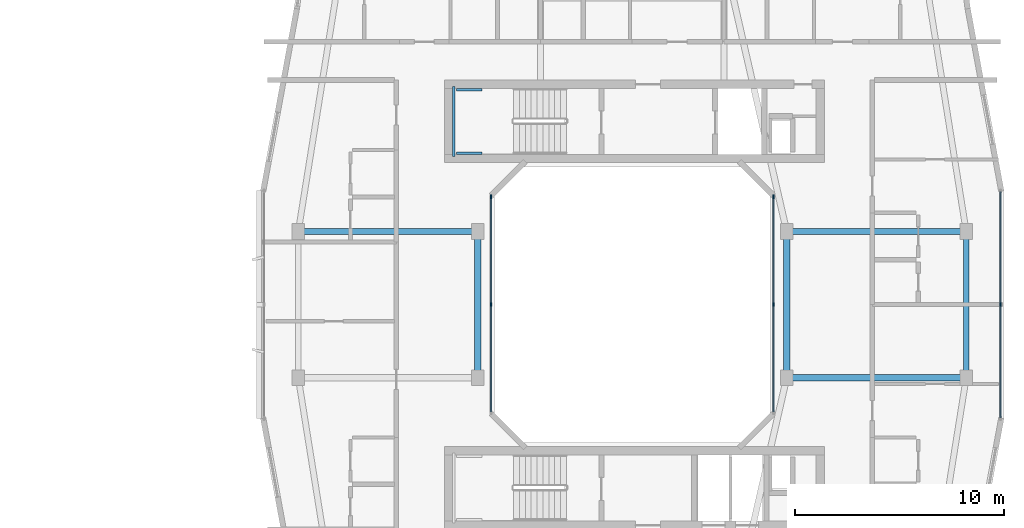
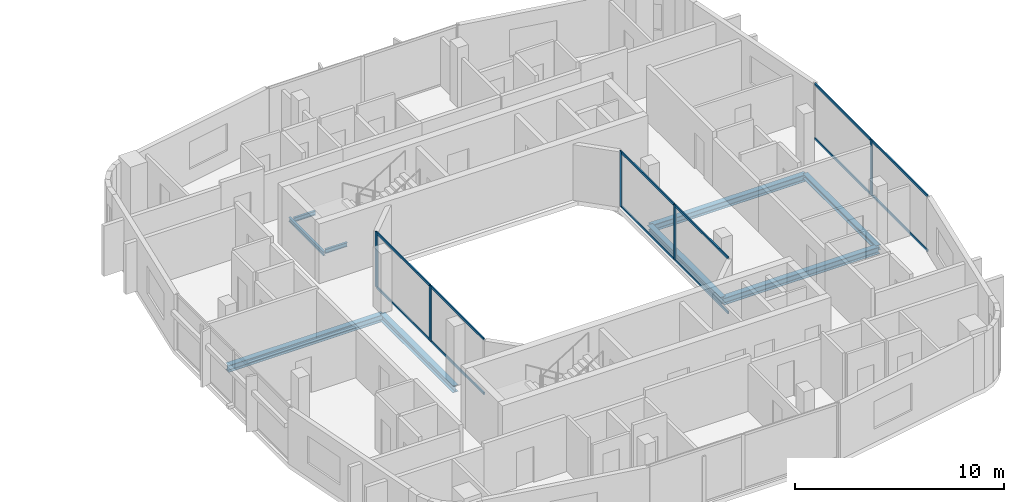
# One storey, part 9 of 26: 17 members, 9 beams, 3 elements without a shape of their own.
"""IFC4 building model written with IfcOpenShell, lengths in metres."""

from ifc_helpers import new_model, si_unit, derived_unit, direction, frame, origin, origin_2d, place, context, subcontext, project, spatial, rectangle, i_section, extrude, material, layer, layer_set, material_profile, profile_set, type_object, element, aggregate, save


model = new_model("IFC4")

# Units and contexts
model_context = context("Model", 3, precision=1e-05, world=origin(), true_north=direction((0.0, 1.0)))
body_context = subcontext(model_context, "Body", "Model", "MODEL_VIEW")
ifc_project = project(units=[si_unit("LENGTHUNIT", "METRE"), si_unit("AREAUNIT", "SQUARE_METRE"), si_unit("VOLUMEUNIT", "CUBIC_METRE"), si_unit("PLANEANGLEUNIT", "RADIAN"), si_unit("MASSUNIT", "GRAM", prefix="KILO"), derived_unit("THERMALTRANSMITTANCEUNIT", [(si_unit("POWERUNIT", "WATT"), 1), (si_unit("LENGTHUNIT", "METRE"), -2), (si_unit("THERMODYNAMICTEMPERATUREUNIT", "KELVIN"), -1)])], contexts=[model_context])

# Site, building, storey
site_placement = place(None, origin())
site = spatial("IfcSite", under=ifc_project, at=site_placement, CompositionType="ELEMENT")
building_placement = place(site_placement, origin())
building = spatial("IfcBuilding", under=site, at=building_placement, Name="Kivonza Crest Hotel", CompositionType="ELEMENT")
storey_placement = place(building_placement, frame((0.0, 0.0, 102.0)))
storey = spatial("IfcBuildingStorey", under=building, at=storey_placement, Name="L27", CompositionType="ELEMENT", Elevation=102.0)

# Beams
ifc_material_1 = material(Name="Steel S355", Category="steel")
ifc_material_profile_1 = material_profile(ifc_material_1, i_section(OverallWidth=0.280029296875, OverallDepth=0.280029296875, WebThickness=0.010498046875, FlangeThickness=0.01806640625, FilletRadius=0.02392578125, at=origin_2d()), Name="HEB 280")
ifc_profile_set_1 = profile_set([ifc_material_profile_1], Name="Steel S355")
beam_type_1 = type_object("IfcBeamType", Name="BM-HEB280", PredefinedType="SPANDREL", material=ifc_profile_set_1)
beam_1_placement = place(storey_placement, frame((93.0, 21.5, -0.389892578125), z_axis=(0.0, 1.0, 0.0), x_axis=(-1.0, 0.0, 0.0)))
element("IfcBeam", 1, at=beam_1_placement, inside=storey, type_object=beam_type_1, Name="Companion Tower T2 L27 perimeter spandrel E1-E2", PredefinedType="SPANDREL", context=body_context, shape_type="SweptSolid", body=[
    extrude(i_section(OverallWidth=0.280029296875, OverallDepth=0.280029296875, WebThickness=0.010498046875, FlangeThickness=0.01806640625, FilletRadius=0.02392578125, at=origin_2d()), origin(), (0.0, 0.0, 1.0), 7.0),
])
ifc_material_profile_2 = material_profile(ifc_material_1, i_section(OverallWidth=0.300048828125, OverallDepth=0.39990234375, WebThickness=0.013427734375, FlangeThickness=0.02392578125, FilletRadius=0.027099609375, at=origin_2d()), Name="HEB 400")
ifc_profile_set_2 = profile_set([ifc_material_profile_2], Name="Steel S355")
beam_type_2 = type_object("IfcBeamType", Name="BM-HEB400", PredefinedType="BEAM", material=ifc_profile_set_2)
beam_2_placement = place(storey_placement, frame((61.0, 28.5, -0.449951171875), z_axis=(1.0, 0.0, 0.0), x_axis=(0.0, 1.0, 0.0)))
element("IfcBeam", 2, at=beam_2_placement, inside=storey, type_object=beam_type_2, Name="Companion Tower T2 L27 girder W2-WL2", PredefinedType="BEAM", context=body_context, shape_type="SweptSolid", body=[
    extrude(i_section(OverallWidth=0.300048828125, OverallDepth=0.39990234375, WebThickness=0.013427734375, FlangeThickness=0.02392578125, FilletRadius=0.027099609375, at=origin_2d()), origin(), (0.0, 0.0, 1.0), 8.60009765625),
])
beam_3_placement = place(storey_placement, frame((69.60009765625, 21.5, -0.449951171875), z_axis=(0.0, 1.0, 0.0), x_axis=(-1.0, 0.0, 0.0)))
element("IfcBeam", 3, at=beam_3_placement, inside=storey, type_object=beam_type_2, Name="Companion Tower T2 L27 girder WL1-WL2", PredefinedType="BEAM", context=body_context, shape_type="SweptSolid", body=[
    extrude(i_section(OverallWidth=0.300048828125, OverallDepth=0.39990234375, WebThickness=0.013427734375, FlangeThickness=0.02392578125, FilletRadius=0.027099609375, at=origin_2d()), origin(), (0.0, 0.0, 1.0), 7.0),
])
for number, where, z_axis, x_axis, name in (
    (4, (84.39990234375, 21.5, -0.449951171875), (1.0, 0.0, 0.0), (0.0, 1.0, 0.0), "Companion Tower T2 L27 girder WR1-E1"),
    (5, (84.39990234375, 28.5, -0.449951171875), (1.0, 0.0, 0.0), (0.0, 1.0, 0.0), "Companion Tower T2 L27 girder WR2-E2"),
):
    element("IfcBeam", number, at=place(storey_placement, frame(where, z_axis=z_axis, x_axis=x_axis)), inside=storey, type_object=beam_type_2, Name=name, PredefinedType="BEAM", context=body_context, shape_type="SweptSolid", body=[
        extrude(i_section(OverallWidth=0.300048828125, OverallDepth=0.39990234375, WebThickness=0.013427734375, FlangeThickness=0.02392578125, FilletRadius=0.027099609375, at=origin_2d()), origin(), (0.0, 0.0, 1.0), 8.60009765625),
    ])
beam_4_placement = place(storey_placement, frame((84.39990234375, 21.5, -0.449951171875), z_axis=(0.0, 1.0, 0.0), x_axis=(-1.0, 0.0, 0.0)))
element("IfcBeam", 6, at=beam_4_placement, inside=storey, type_object=beam_type_2, Name="Companion Tower T2 L27 girder WR1-WR2", PredefinedType="BEAM", context=body_context, shape_type="SweptSolid", body=[
    extrude(i_section(OverallWidth=0.300048828125, OverallDepth=0.39990234375, WebThickness=0.013427734375, FlangeThickness=0.02392578125, FilletRadius=0.027099609375, at=origin_2d()), origin(), (0.0, 0.0, 1.0), 7.0),
])
ifc_material_profile_3 = material_profile(ifc_material_1, i_section(OverallWidth=0.1201171875, OverallDepth=0.239990234375, WebThickness=0.006103515625, FlangeThickness=0.009765625, FilletRadius=0.014892578125, at=origin_2d()), Name="IPE 240")
ifc_profile_set_3 = profile_set([ifc_material_profile_3], Name="Steel S355")
beam_type_3 = type_object("IfcBeamType", Name="BM-LLDG-240", PredefinedType="BEAM", material=ifc_profile_set_3)
beam_5_placement = place(storey_placement, frame((68.4599609375, 32.10009765625, 1.429931640625), z_axis=(0.0, 1.0, 0.0), x_axis=(-1.0, 0.0, 0.0)))
element("IfcBeam", 7, at=beam_5_placement, inside=storey, type_object=beam_type_3, Name="Stair ST-T2-N L27 West landing corbel", PredefinedType="BEAM", context=body_context, shape_type="SweptSolid", body=[
    extrude(i_section(OverallWidth=0.1201171875, OverallDepth=0.239990234375, WebThickness=0.006103515625, FlangeThickness=0.009765625, FilletRadius=0.014892578125, at=origin_2d()), origin(), (0.0, 0.0, 1.0), 3.35986328125),
])
for number, where, z_axis, x_axis, name in (
    (8, (68.590087890625, 32.260009765625, 1.429931640625), (1.0, 0.0, 0.0), (0.0, 1.0, 0.0), "Stair ST-T2-N L27 South landing corbel"),
    (9, (68.590087890625, 35.300048828125, 1.429931640625), (1.0, 0.0, 0.0), (0.0, 1.0, 0.0), "Stair ST-T2-N L27 North landing corbel"),
):
    element("IfcBeam", number, at=place(storey_placement, frame(where, z_axis=z_axis, x_axis=x_axis)), inside=storey, type_object=beam_type_3, Name=name, PredefinedType="BEAM", context=body_context, shape_type="SweptSolid", body=[
        extrude(i_section(OverallWidth=0.1201171875, OverallDepth=0.239990234375, WebThickness=0.006103515625, FlangeThickness=0.009765625, FilletRadius=0.014892578125, at=origin_2d()), origin(), (0.0, 0.0, 1.0), 1.2099609375),
    ])

# Curtain wall, member
ifc_material_2 = material(Name="Anodised bronze aluminium and low-E double glazing", Category="aluminium")
ifc_layer_1 = layer(ifc_material_2, 0.179931640625)
ifc_layer_set_1 = layer_set([ifc_layer_1], Name="Anodised bronze aluminium and low-E double glazing")
curtain_wall_type_1 = type_object("IfcCurtainWallType", Name="CW-SYS-4", PredefinedType="NOTDEFINED", material=ifc_layer_set_1)
curtain_wall_1_placement = place(storey_placement, origin())
curtain_wall_1 = element("IfcCurtainWall", 10, at=curtain_wall_1_placement, inside=storey, type_object=curtain_wall_type_1, Name="L27 unitised curtain wall CW-T2-L27-17", PredefinedType="NOTDEFINED")
ifc_material_3 = material(Name="Anodised bronze aluminium", Category="aluminium")
ifc_material_profile_4 = material_profile(ifc_material_3, rectangle(XDim=0.06494140625, YDim=0.179931640625, at=origin_2d()), Name="CW-M 65x180")
ifc_profile_set_4 = profile_set([ifc_material_profile_4], Name="Anodised bronze aluminium")
member_type_1 = type_object("IfcMemberType", Name="CW-MUL-65x180", PredefinedType="MULLION", material=ifc_profile_set_4)
member_1_placement = place(storey_placement, frame((94.639892578125, 25.0, 0.0), z_axis=(0.0, 0.0, 1.0), x_axis=(-1.0, 0.0, 0.0)))
member_1 = element("IfcMember", 11, at=member_1_placement, type_object=member_type_1, Name="CW-4 mullion 2", PredefinedType="MULLION", context=body_context, shape_type="SweptSolid", body=[
    extrude(rectangle(XDim=0.06494140625, YDim=0.179931640625, at=origin_2d()), origin(), (0.0, 0.0, 1.0), 3.25),
])

# Curtain wall, members
ifc_layer_2 = layer(ifc_material_2, 0.159912109375)
ifc_layer_set_2 = layer_set([ifc_layer_2], Name="Anodised bronze aluminium and low-E double glazing")
curtain_wall_type_2 = type_object("IfcCurtainWallType", Name="CW-SYS-5", PredefinedType="NOTDEFINED", material=ifc_layer_set_2)
curtain_wall_2_placement = place(storey_placement, origin())
curtain_wall_2 = element("IfcCurtainWall", 12, at=curtain_wall_2_placement, inside=storey, type_object=curtain_wall_type_2, Name="L27 unitised curtain wall CW-WELL-T2-L27-3", PredefinedType="NOTDEFINED")
member_2_placement = place(storey_placement, frame((83.760009765625, 25.0, 0.0), z_axis=(0.0, 0.0, 1.0), x_axis=(-1.0, 0.0, 0.0)))
member_2 = element("IfcMember", 13, at=member_2_placement, type_object=member_type_1, Name="CW-5 mullion 2", PredefinedType="MULLION", context=body_context, shape_type="SweptSolid", body=[
    extrude(rectangle(XDim=0.06494140625, YDim=0.179931640625, at=origin_2d()), origin(), (0.0, 0.0, 1.0), 3.25),
])
member_3_placement = place(storey_placement, frame((83.760009765625, 30.16748046875, 0.0), z_axis=(0.0, 0.0, 1.0), x_axis=(-1.0, 0.0, 0.0)))
member_3 = element("IfcMember", 14, at=member_3_placement, type_object=member_type_1, Name="CW-5 mullion 3", PredefinedType="MULLION", context=body_context, shape_type="SweptSolid", body=[
    extrude(rectangle(XDim=0.06494140625, YDim=0.179931640625, at=origin_2d()), origin(), (0.0, 0.0, 1.0), 3.25),
])

curtain_wall_3_placement = place(storey_placement, origin())
curtain_wall_3 = element("IfcCurtainWall", 15, at=curtain_wall_3_placement, inside=storey, type_object=curtain_wall_type_2, Name="L27 unitised curtain wall CW-WELL-T2-L27-7", PredefinedType="NOTDEFINED")
member_4_placement = place(storey_placement, frame((70.239990234375, 30.16748046875, 0.0), z_axis=(0.0, 0.0, 1.0), x_axis=(1.0, 0.0, 0.0)))
member_4 = element("IfcMember", 16, at=member_4_placement, type_object=member_type_1, Name="CW-5 mullion 1", PredefinedType="MULLION", context=body_context, shape_type="SweptSolid", body=[
    extrude(rectangle(XDim=0.06494140625, YDim=0.179931640625, at=origin_2d()), origin(), (0.0, 0.0, 1.0), 3.25),
])
member_5_placement = place(storey_placement, frame((70.239990234375, 25.0, 0.0), z_axis=(0.0, 0.0, 1.0), x_axis=(1.0, 0.0, 0.0)))
member_5 = element("IfcMember", 17, at=member_5_placement, type_object=member_type_1, Name="CW-5 mullion 2", PredefinedType="MULLION", context=body_context, shape_type="SweptSolid", body=[
    extrude(rectangle(XDim=0.06494140625, YDim=0.179931640625, at=origin_2d()), origin(), (0.0, 0.0, 1.0), 3.25),
])

# Member
ifc_material_profile_5 = material_profile(ifc_material_3, rectangle(XDim=0.06494140625, YDim=0.139892578125, at=origin_2d()), Name="CW-T 65x140")
ifc_profile_set_5 = profile_set([ifc_material_profile_5], Name="Anodised bronze aluminium")
member_type_2 = type_object("IfcMemberType", Name="CW-TRN-65x140", PredefinedType="USERDEFINED", material=ifc_profile_set_5)
member_6_placement = place(storey_placement, frame((94.639892578125, 19.5849609375, 0.032470703125), z_axis=(0.0, 1.0, 0.0), x_axis=(-1.0, 0.0, 0.0)))
member_6 = element("IfcMember", 18, at=member_6_placement, type_object=member_type_2, Name="CW-4 transom 1.1", ObjectType="TRANSOM", PredefinedType="USERDEFINED", context=body_context, shape_type="SweptSolid", body=[
    extrude(rectangle(XDim=0.06494140625, YDim=0.139892578125, at=origin_2d()), origin(), (0.0, 0.0, 1.0), 5.382568359375),
])

member_7_placement = place(storey_placement, frame((94.639892578125, 19.5849609375, 3.217529296875), z_axis=(0.0, 1.0, 0.0), x_axis=(-1.0, 0.0, 0.0)))
member_7 = element("IfcMember", 19, at=member_7_placement, type_object=member_type_2, Name="CW-4 transom 1.2", ObjectType="TRANSOM", PredefinedType="USERDEFINED", context=body_context, shape_type="SweptSolid", body=[
    extrude(rectangle(XDim=0.06494140625, YDim=0.139892578125, at=origin_2d()), origin(), (0.0, 0.0, 1.0), 5.382568359375),
])

member_8_placement = place(storey_placement, frame((94.639892578125, 25.032470703125, 0.032470703125), z_axis=(0.0, 1.0, 0.0), x_axis=(-1.0, 0.0, 0.0)))
member_8 = element("IfcMember", 20, at=member_8_placement, type_object=member_type_2, Name="CW-4 transom 2.1", ObjectType="TRANSOM", PredefinedType="USERDEFINED", context=body_context, shape_type="SweptSolid", body=[
    extrude(rectangle(XDim=0.06494140625, YDim=0.139892578125, at=origin_2d()), origin(), (0.0, 0.0, 1.0), 5.382568359375),
])

member_9_placement = place(storey_placement, frame((94.639892578125, 25.032470703125, 3.217529296875), z_axis=(0.0, 1.0, 0.0), x_axis=(-1.0, 0.0, 0.0)))
member_9 = element("IfcMember", 21, at=member_9_placement, type_object=member_type_2, Name="CW-4 transom 2.2", ObjectType="TRANSOM", PredefinedType="USERDEFINED", context=body_context, shape_type="SweptSolid", body=[
    extrude(rectangle(XDim=0.06494140625, YDim=0.139892578125, at=origin_2d()), origin(), (0.0, 0.0, 1.0), 5.382568359375),
])

aggregate(curtain_wall_1, [member_1, member_6, member_7, member_8, member_9])

member_10_placement = place(storey_placement, frame((83.760009765625, 19.864990234375, 0.032470703125), z_axis=(0.0, 1.0, 0.0), x_axis=(-1.0, 0.0, 0.0)))
member_10 = element("IfcMember", 22, at=member_10_placement, type_object=member_type_2, Name="CW-5 transom 1.1", ObjectType="TRANSOM", PredefinedType="USERDEFINED", context=body_context, shape_type="SweptSolid", body=[
    extrude(rectangle(XDim=0.06494140625, YDim=0.139892578125, at=origin_2d()), origin(), (0.0, 0.0, 1.0), 5.1025390625),
])

member_11_placement = place(storey_placement, frame((83.760009765625, 19.864990234375, 3.217529296875), z_axis=(0.0, 1.0, 0.0), x_axis=(-1.0, 0.0, 0.0)))
member_11 = element("IfcMember", 23, at=member_11_placement, type_object=member_type_2, Name="CW-5 transom 1.2", ObjectType="TRANSOM", PredefinedType="USERDEFINED", context=body_context, shape_type="SweptSolid", body=[
    extrude(rectangle(XDim=0.06494140625, YDim=0.139892578125, at=origin_2d()), origin(), (0.0, 0.0, 1.0), 5.1025390625),
])

member_12_placement = place(storey_placement, frame((83.760009765625, 25.032470703125, 0.032470703125), z_axis=(0.0, 1.0, 0.0), x_axis=(-1.0, 0.0, 0.0)))
member_12 = element("IfcMember", 24, at=member_12_placement, type_object=member_type_2, Name="CW-5 transom 2.1", ObjectType="TRANSOM", PredefinedType="USERDEFINED", context=body_context, shape_type="SweptSolid", body=[
    extrude(rectangle(XDim=0.06494140625, YDim=0.139892578125, at=origin_2d()), origin(), (0.0, 0.0, 1.0), 5.1025390625),
])

member_13_placement = place(storey_placement, frame((83.760009765625, 25.032470703125, 3.217529296875), z_axis=(0.0, 1.0, 0.0), x_axis=(-1.0, 0.0, 0.0)))
member_13 = element("IfcMember", 25, at=member_13_placement, type_object=member_type_2, Name="CW-5 transom 2.2", ObjectType="TRANSOM", PredefinedType="USERDEFINED", context=body_context, shape_type="SweptSolid", body=[
    extrude(rectangle(XDim=0.06494140625, YDim=0.139892578125, at=origin_2d()), origin(), (0.0, 0.0, 1.0), 5.1025390625),
])

aggregate(curtain_wall_2, [member_2, member_3, member_10, member_11, member_12, member_13])

member_14_placement = place(storey_placement, frame((70.239990234375, 30.135009765625, 0.032470703125), z_axis=(0.0, -1.0, 0.0), x_axis=(1.0, 0.0, 0.0)))
member_14 = element("IfcMember", 26, at=member_14_placement, type_object=member_type_2, Name="CW-5 transom 1.1", ObjectType="TRANSOM", PredefinedType="USERDEFINED", context=body_context, shape_type="SweptSolid", body=[
    extrude(rectangle(XDim=0.06494140625, YDim=0.139892578125, at=origin_2d()), origin(), (0.0, 0.0, 1.0), 5.1025390625),
])

member_15_placement = place(storey_placement, frame((70.239990234375, 30.135009765625, 3.217529296875), z_axis=(0.0, -1.0, 0.0), x_axis=(1.0, 0.0, 0.0)))
member_15 = element("IfcMember", 27, at=member_15_placement, type_object=member_type_2, Name="CW-5 transom 1.2", ObjectType="TRANSOM", PredefinedType="USERDEFINED", context=body_context, shape_type="SweptSolid", body=[
    extrude(rectangle(XDim=0.06494140625, YDim=0.139892578125, at=origin_2d()), origin(), (0.0, 0.0, 1.0), 5.1025390625),
])

member_16_placement = place(storey_placement, frame((70.239990234375, 24.967529296875, 0.032470703125), z_axis=(0.0, -1.0, 0.0), x_axis=(1.0, 0.0, 0.0)))
member_16 = element("IfcMember", 28, at=member_16_placement, type_object=member_type_2, Name="CW-5 transom 2.1", ObjectType="TRANSOM", PredefinedType="USERDEFINED", context=body_context, shape_type="SweptSolid", body=[
    extrude(rectangle(XDim=0.06494140625, YDim=0.139892578125, at=origin_2d()), origin(), (0.0, 0.0, 1.0), 5.1025390625),
])

member_17_placement = place(storey_placement, frame((70.239990234375, 24.967529296875, 3.217529296875), z_axis=(0.0, -1.0, 0.0), x_axis=(1.0, 0.0, 0.0)))
member_17 = element("IfcMember", 29, at=member_17_placement, type_object=member_type_2, Name="CW-5 transom 2.2", ObjectType="TRANSOM", PredefinedType="USERDEFINED", context=body_context, shape_type="SweptSolid", body=[
    extrude(rectangle(XDim=0.06494140625, YDim=0.139892578125, at=origin_2d()), origin(), (0.0, 0.0, 1.0), 5.1025390625),
])

aggregate(curtain_wall_3, [member_4, member_5, member_14, member_15, member_16, member_17])

save(model, "model.ifc")
